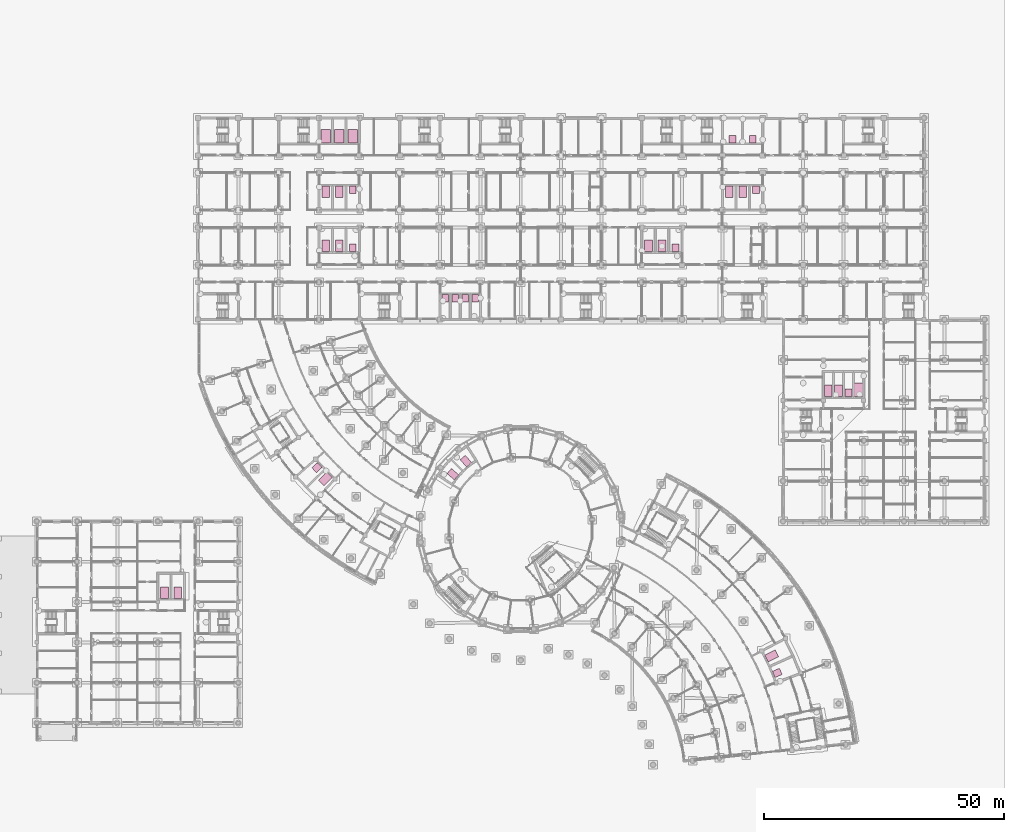
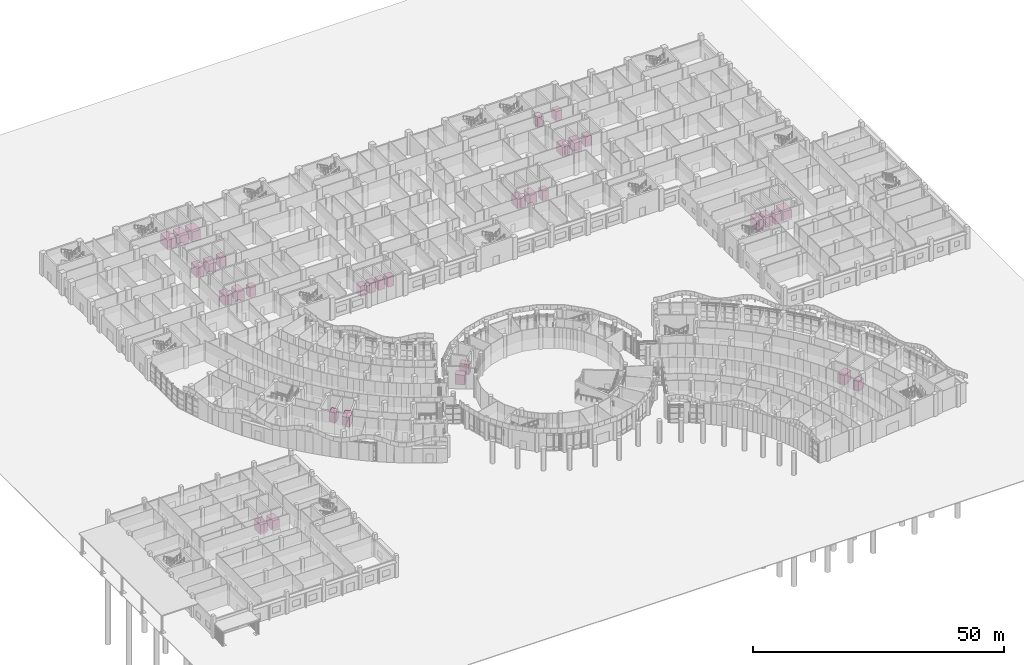
# One storey, part 146 of 146: 33 transport elements.
"""IFC4 building model written with IfcOpenShell, lengths in metres."""

from ifc_helpers import new_model, si_unit, direction, frame, origin, origin_2d, place, context, subcontext, project, spatial, rectangle, extrude, material, type_object, element, save


model = new_model("IFC4")

# Units and contexts
model_context = context("Model", 3, precision=1e-05, world=origin(), true_north=direction((0.0, 1.0)))
body_context = subcontext(model_context, "Body", "Model", "MODEL_VIEW")
ifc_project = project(units=[si_unit("LENGTHUNIT", "METRE"), si_unit("AREAUNIT", "SQUARE_METRE"), si_unit("VOLUMEUNIT", "CUBIC_METRE"), si_unit("PLANEANGLEUNIT", "RADIAN"), si_unit("MASSUNIT", "GRAM", prefix="KILO")], contexts=[model_context])

# Site, building, storey
site_placement = place(None, origin())
site = spatial("IfcSite", under=ifc_project, at=site_placement, CompositionType="ELEMENT")
building_placement = place(site_placement, origin())
building = spatial("IfcBuilding", under=site, at=building_placement, Name="Bougainvillea Quay General Hospital", CompositionType="ELEMENT")
storey_placement = place(building_placement, origin())
storey = spatial("IfcBuildingStorey", under=building, at=storey_placement, Name="L00", CompositionType="ELEMENT", Elevation=0.0)

# Transport elements
ifc_material = material(Name="Stainless steel 304 lift car", Category="steel")
transport_element_type_1 = type_object("IfcTransportElementType", Name="Bed lift car 1600x2400 2000 kg", PredefinedType="ELEVATOR", material=ifc_material)
for number, where, z_axis, x_axis, name in (
    (1, (35.0, 60.77490234375, 0.050048828125), (0.0, 0.0, 1.0), (1.0, 0.0, 0.0), "Lift LB-U1-1"),
    (2, (37.800048828125, 60.77490234375, 0.050048828125), (0.0, 0.0, 1.0), (1.0, 0.0, 0.0), "Lift LB-U1-2"),
    (3, (173.25, 102.77490234375, 0.050048828125), (0.0, 0.0, 1.0), (1.0, 0.0, 0.0), "Lift LB-T1-1"),
    (4, (175.35009765625, 102.77490234375, 0.050048828125), (0.0, 0.0, 1.0), (1.0, 0.0, 0.0), "Lift LB-T1-2"),
    (5, (71.39990234375, 144.22509765625, 0.050048828125), (0.0, 0.0, 1.0), (-1.0, 0.0, 0.0), "Lift LB-A1-2"),
    (6, (155.39990234375, 144.22509765625, 0.050048828125), (0.0, 0.0, 1.0), (-1.0, 0.0, 0.0), "Lift LB-A2-2"),
    (7, (71.39990234375, 132.97509765625, 0.050048828125), (0.0, 0.0, 1.0), (1.0, 0.0, 0.0), "Lift LB-B1-2"),
    (8, (138.60009765625, 132.97509765625, 0.050048828125), (0.0, 0.0, 1.0), (1.0, 0.0, 0.0), "Lift LB-B2-2"),
    (9, (68.51708984375, 84.415283203125, 0.050048828125), (0.0, 0.0, 1.0), (-0.705717577383, 0.708493261064, 0.0), "Lift LB-W1-1"),
    (10, (161.447509765625, 47.585205078125, 0.050048828125), (0.0, 0.0, 1.0), (0.45470265382, -0.890643304926, 0.0), "Lift LB-E1-1"),
):
    element("IfcTransportElement", number, at=place(storey_placement, frame(where, z_axis=z_axis, x_axis=x_axis)), inside=storey, type_object=transport_element_type_1, Name=name, PredefinedType="ELEVATOR", context=body_context, shape_type="SweptSolid", body=[
        extrude(rectangle(XDim=1.60009765625, YDim=2.39990234375, at=origin_2d()), origin(), (0.0, 0.0, 1.0), 2.39990234375),
    ])
transport_element_type_2 = type_object("IfcTransportElementType", Name="Firefighting lift car 1600x2400 2000 kg", PredefinedType="ELEVATOR", material=ifc_material)
for number, where, z_axis, x_axis, name in (
    (11, (68.60009765625, 144.22509765625, 0.050048828125), (0.0, 0.0, 1.0), (-1.0, 0.0, 0.0), "Lift LB-A1-1"),
    (12, (152.60009765625, 144.22509765625, 0.050048828125), (0.0, 0.0, 1.0), (-1.0, 0.0, 0.0), "Lift LB-A2-1"),
    (13, (68.60009765625, 132.97509765625, 0.050048828125), (0.0, 0.0, 1.0), (1.0, 0.0, 0.0), "Lift LB-B1-1"),
    (14, (135.800048828125, 132.97509765625, 0.050048828125), (0.0, 0.0, 1.0), (1.0, 0.0, 0.0), "Lift LB-B2-1"),
):
    element("IfcTransportElement", number, at=place(storey_placement, frame(where, z_axis=z_axis, x_axis=x_axis)), inside=storey, type_object=transport_element_type_2, Name=name, PredefinedType="ELEVATOR", context=body_context, shape_type="SweptSolid", body=[
        extrude(rectangle(XDim=1.60009765625, YDim=2.39990234375, at=origin_2d()), origin(), (0.0, 0.0, 1.0), 2.39990234375),
    ])
transport_element_type_3 = type_object("IfcTransportElementType", Name="Goods lift car 2000x2800 2500 kg", PredefinedType="ELEVATOR", material=ifc_material)
for number, where, z_axis, x_axis, name in (
    (15, (68.60009765625, 155.77490234375, 0.050048828125), (0.0, 0.0, 1.0), (1.0, 0.0, 0.0), "Lift LB-G1-1"),
    (16, (71.39990234375, 155.77490234375, 0.050048828125), (0.0, 0.0, 1.0), (1.0, 0.0, 0.0), "Lift LB-G1-2"),
    (17, (74.199951171875, 155.77490234375, 0.050048828125), (0.0, 0.0, 1.0), (1.0, 0.0, 0.0), "Lift LB-G1-3"),
    (18, (179.550048828125, 102.97509765625, 0.050048828125), (0.0, 0.0, 1.0), (1.0, 0.0, 0.0), "Lift LB-T1-4"),
):
    element("IfcTransportElement", number, at=place(storey_placement, frame(where, z_axis=z_axis, x_axis=x_axis)), inside=storey, type_object=transport_element_type_3, Name=name, PredefinedType="ELEVATOR", context=body_context, shape_type="SweptSolid", body=[
        extrude(rectangle(XDim=2.0, YDim=2.800048828125, at=origin_2d()), origin(), (0.0, 0.0, 1.0), 2.39990234375),
    ])
transport_element_type_4 = type_object("IfcTransportElementType", Name="Passenger lift car 1400x1600 1000 kg", PredefinedType="ELEVATOR", material=ifc_material)
for number, where, z_axis, x_axis, name in (
    (19, (93.449951171875, 122.02490234375, 0.050048828125), (0.0, 0.0, 1.0), (-1.0, 0.0, 0.0), "Lift LB-P1-1"),
    (20, (95.550048828125, 122.02490234375, 0.050048828125), (0.0, 0.0, 1.0), (-1.0, 0.0, 0.0), "Lift LB-P1-2"),
    (21, (97.64990234375, 122.02490234375, 0.050048828125), (0.0, 0.0, 1.0), (-1.0, 0.0, 0.0), "Lift LB-P1-3"),
    (22, (99.75, 122.02490234375, 0.050048828125), (0.0, 0.0, 1.0), (-1.0, 0.0, 0.0), "Lift LB-P1-4"),
    (23, (153.300048828125, 155.175048828125, 0.050048828125), (0.0, 0.0, 1.0), (1.0, 0.0, 0.0), "Lift LB-S1-1"),
    (24, (157.5, 155.175048828125, 0.050048828125), (0.0, 0.0, 1.0), (1.0, 0.0, 0.0), "Lift LB-S1-2"),
    (25, (177.449951171875, 102.375, 0.050048828125), (0.0, 0.0, 1.0), (1.0, 0.0, 0.0), "Lift LB-T1-3"),
    (26, (74.199951171875, 144.625, 0.050048828125), (0.0, 0.0, 1.0), (-1.0, 0.0, 0.0), "Lift LB-A1-3"),
    (27, (158.199951171875, 144.625, 0.050048828125), (0.0, 0.0, 1.0), (-1.0, 0.0, 0.0), "Lift LB-A2-3"),
    (28, (74.199951171875, 132.574951171875, 0.050048828125), (0.0, 0.0, 1.0), (1.0, 0.0, 0.0), "Lift LB-B1-3"),
    (29, (141.39990234375, 132.574951171875, 0.050048828125), (0.0, 0.0, 1.0), (1.0, 0.0, 0.0), "Lift LB-B2-3"),
    (30, (66.7587890625, 86.798583984375, 0.050048828125), (0.0, 0.0, 1.0), (-0.668619423018, 0.743604778873, 0.0), "Lift LB-W1-2"),
    (31, (162.60498046875, 44.043212890625, 0.050048828125), (0.0, 0.0, 1.0), (0.396647353413, -0.917971065465, 0.0), "Lift LB-E1-2"),
):
    element("IfcTransportElement", number, at=place(storey_placement, frame(where, z_axis=z_axis, x_axis=x_axis)), inside=storey, type_object=transport_element_type_4, Name=name, PredefinedType="ELEVATOR", context=body_context, shape_type="SweptSolid", body=[
        extrude(rectangle(XDim=1.39990234375, YDim=1.60009765625, at=origin_2d()), origin(), (0.0, 0.0, 1.0), 2.39990234375),
    ])
transport_element_type_5 = type_object("IfcTransportElementType", Name="Passenger lift car 1400x2000 1000 kg", PredefinedType="ELEVATOR", material=ifc_material)
for number, where, z_axis, x_axis, name in (
    (32, (97.77490234375, 88.13525390625, 0.050048828125), (0.0, 0.0, 1.0), (0.760523910828, 0.649309926814, 0.0), "Lift LB-H1-1"),
    (33, (95.064697265625, 85.425048828125, 0.050048828125), (0.0, 0.0, 1.0), (0.649309926814, 0.760523910828, 0.0), "Lift LB-H1-2"),
):
    element("IfcTransportElement", number, at=place(storey_placement, frame(where, z_axis=z_axis, x_axis=x_axis)), inside=storey, type_object=transport_element_type_5, Name=name, PredefinedType="ELEVATOR", context=body_context, shape_type="SweptSolid", body=[
        extrude(rectangle(XDim=1.39990234375, YDim=2.0, at=origin_2d()), origin(), (0.0, 0.0, 1.0), 2.39990234375),
    ])

save(model, "model.ifc")
